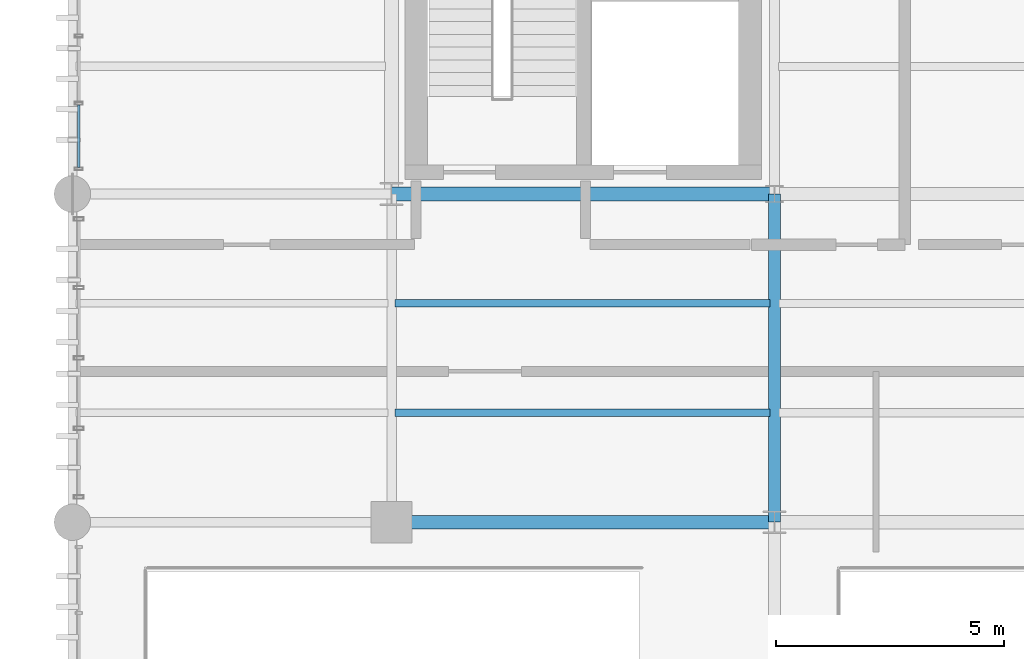
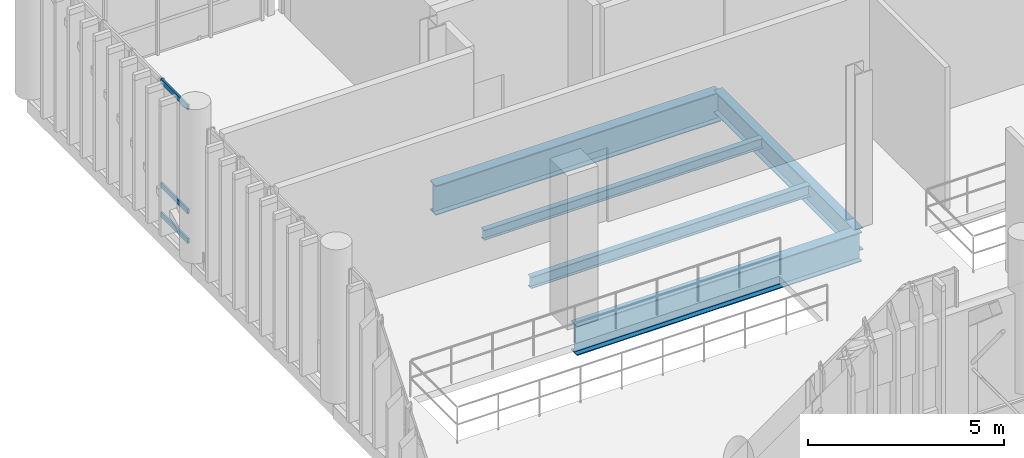
# One storey, part 28 of 109: 5 beams, 3 members, 1 element without a shape of its own.
"""IFC4 building model written with IfcOpenShell, lengths in metres."""

from ifc_helpers import new_model, si_unit, direction, frame, origin_with_axes, origin_2d_with_axis, place, context, subcontext, project, spatial, hollow_rectangle, i_section, extrude, material, material_profile, profile_set, type_object, element, aggregate, save


model = new_model("IFC4")

# Units and contexts
model_context = context("Model", 3, precision=1e-05, world=origin_with_axes(), true_north=direction((0.0, 1.0)))
body_context = subcontext(model_context, "Body", "Model", "MODEL_VIEW")
ifc_project = project(units=[si_unit("LENGTHUNIT", "METRE"), si_unit("AREAUNIT", "SQUARE_METRE"), si_unit("VOLUMEUNIT", "CUBIC_METRE"), si_unit("PLANEANGLEUNIT", "RADIAN"), si_unit("MASSUNIT", "GRAM", prefix="KILO"), si_unit("THERMODYNAMICTEMPERATUREUNIT", "KELVIN")], contexts=[model_context])

# Site, building, storey
site_placement = place(None, origin_with_axes())
site = spatial("IfcSite", under=ifc_project, at=site_placement, CompositionType="ELEMENT")
building_placement = place(site_placement, origin_with_axes())
building = spatial("IfcBuilding", under=site, at=building_placement, Name="Montbau Bow Law Courts", CompositionType="ELEMENT")
storey_placement = place(building_placement, frame((0.0, 0.0, 10.8), z_axis=(0.0, 0.0, 1.0), x_axis=(1.0, 0.0, 0.0)))
storey = spatial("IfcBuildingStorey", under=building, at=storey_placement, Name="L02", CompositionType="ELEMENT", Elevation=10.8)

# Beams
ifc_material_1 = material(Name="Steel CSA G40.21 Grade 350W (350 MPa)", Category="steel")
ifc_material_profile_1 = material_profile(ifc_material_1, i_section(OverallWidth=0.306, OverallDepth=0.919, WebThickness=0.0173, FlangeThickness=0.0279, at=origin_2d_with_axis()), Name="W920X253", Category="Main", Priority=0)
ifc_profile_set_1 = profile_set([ifc_material_profile_1], Name="Steel CSA G40.21 Grade 350W (350 MPa)")
beam_type_1 = type_object("IfcBeamType", Name="B-FLR-01", PredefinedType="BEAM", material=ifc_profile_set_1)
for number, where, z_axis, x_axis, name in (
    (1, (13.8, 39.0, 10.12), (1.0, 0.0, 0.0), (0.0, 1.0, 0.0), "BM-L02-S0552:bm2_0555"),
    (2, (13.8, 46.2, 10.12), (1.0, 0.0, 0.0), (0.0, 1.0, 0.0), "BM-L02-S0557:bm2_0560"),
):
    element("IfcBeam", number, at=place(None, frame(where, z_axis=z_axis, x_axis=x_axis)), inside=storey, type_object=beam_type_1, Name=name, PredefinedType="BEAM", context=body_context, shape_type="SweptSolid", body=[
        extrude(i_section(OverallWidth=0.306, OverallDepth=0.919, WebThickness=0.0173, FlangeThickness=0.0279, at=origin_2d_with_axis()), origin_with_axes(), (0.0, 0.0, 1.0), 8.4),
    ])
ifc_material_profile_2 = material_profile(ifc_material_1, i_section(OverallWidth=0.254, OverallDepth=0.688, WebThickness=0.0131, FlangeThickness=0.0211, at=origin_2d_with_axis()), Name="W690X152", Category="Main", Priority=0)
ifc_profile_set_2 = profile_set([ifc_material_profile_2], Name="Steel CSA G40.21 Grade 350W (350 MPa)")
beam_type_2 = type_object("IfcBeamType", Name="B-FLR-04", PredefinedType="BEAM", material=ifc_profile_set_2)
beam_1_placement = place(None, frame((22.2, 39.0, 10.236), z_axis=(0.0, 1.0, 0.0), x_axis=(-1.0, 0.0, 0.0)))
element("IfcBeam", 3, at=beam_1_placement, inside=storey, type_object=beam_type_2, Name="BM-L02-S0572:bm2_0575", PredefinedType="BEAM", context=body_context, shape_type="SweptSolid", body=[
    extrude(i_section(OverallWidth=0.254, OverallDepth=0.688, WebThickness=0.0131, FlangeThickness=0.0211, at=origin_2d_with_axis()), origin_with_axes(), (0.0, 0.0, 1.0), 7.2),
])
ifc_material_profile_3 = material_profile(ifc_material_1, i_section(OverallWidth=0.172, OverallDepth=0.358, WebThickness=0.0079, FlangeThickness=0.0131, at=origin_2d_with_axis()), Name="W360X57", Category="Main", Priority=0)
ifc_profile_set_3 = profile_set([ifc_material_profile_3], Name="Steel CSA G40.21 Grade 350W (350 MPa)")
beam_type_3 = type_object("IfcBeamType", Name="B-JST-03", PredefinedType="JOIST", material=ifc_profile_set_3)
beam_2_placement = place(None, frame((13.881, 41.4, 10.401), z_axis=(1.0, 0.0, 0.0), x_axis=(0.0, 1.0, 0.0)))
element("IfcBeam", 4, at=beam_2_placement, inside=storey, type_object=beam_type_3, Name="JST-L02-S0270:jst2_0270", PredefinedType="JOIST", context=body_context, shape_type="SweptSolid", body=[
    extrude(i_section(OverallWidth=0.172, OverallDepth=0.358, WebThickness=0.0079, FlangeThickness=0.0131, at=origin_2d_with_axis()), origin_with_axes(), (0.0, 0.0, 1.0), 8.216),
])
ifc_material_profile_4 = material_profile(ifc_material_1, i_section(OverallWidth=0.166, OverallDepth=0.313, WebThickness=0.0066, FlangeThickness=0.0112, at=origin_2d_with_axis()), Name="W310X45", Category="Main", Priority=0)
ifc_profile_set_4 = profile_set([ifc_material_profile_4], Name="Steel CSA G40.21 Grade 350W (350 MPa)")
beam_type_4 = type_object("IfcBeamType", Name="B-JST-04", PredefinedType="JOIST", material=ifc_profile_set_4)
beam_3_placement = place(None, frame((13.881, 43.8, 10.424), z_axis=(1.0, 0.0, 0.0), x_axis=(0.0, 1.0, 0.0)))
element("IfcBeam", 5, at=beam_3_placement, inside=storey, type_object=beam_type_4, Name="JST-L02-S0271:jst2_0271", PredefinedType="JOIST", context=body_context, shape_type="SweptSolid", body=[
    extrude(i_section(OverallWidth=0.166, OverallDepth=0.313, WebThickness=0.0066, FlangeThickness=0.0112, at=origin_2d_with_axis()), origin_with_axes(), (0.0, 0.0, 1.0), 8.216),
])

# Curtain wall, members
ifc_material_2 = material(Name="Thermally Broken Extruded Aluminium AA 6063-T6", Category="aluminium")
curtain_wall_type = type_object("IfcCurtainWallType", Name="CW-TRC-01", PredefinedType="NOTDEFINED", material=ifc_material_2)
curtain_wall_placement = place(None, frame((6.94, 46.715, 10.8), z_axis=(0.0, 0.0, 1.0), x_axis=(1.0, 0.0, 0.0)))
curtain_wall = element("IfcCurtainWall", 6, at=curtain_wall_placement, inside=storey, type_object=curtain_wall_type, Name="CW-L02-046:cw_0046", PredefinedType="NOTDEFINED")
ifc_material_profile_5 = material_profile(ifc_material_2, hollow_rectangle(XDim=0.06, YDim=0.16, WallThickness=0.004, InnerFilletRadius=0.008, OuterFilletRadius=0.004, at=origin_2d_with_axis()), Name="CWT-160X60", Category="Main", Priority=0)
ifc_profile_set_5 = profile_set([ifc_material_profile_5], Name="Thermally Broken Extruded Aluminium AA 6063-T6")
member_type = type_object("IfcMemberType", Name="M-TRN-01", PredefinedType="USERDEFINED", material=ifc_profile_set_5)
member_1_placement = place(None, frame((6.94, 46.783, 10.83), z_axis=(0.0, 1.0, 0.0), x_axis=(-1.0, 0.0, 0.0)))
member_1 = element("IfcMember", 7, at=member_1_placement, type_object=member_type, Name="CW-L02-046-T01-1:cw_0046_T01_1", ObjectType="TRANSOM", PredefinedType="USERDEFINED", context=body_context, shape_type="SweptSolid", body=[
    extrude(hollow_rectangle(XDim=0.06, YDim=0.16, WallThickness=0.004, InnerFilletRadius=0.008, OuterFilletRadius=0.004, at=origin_2d_with_axis()), origin_with_axes(), (0.0, 0.0, 1.0), 1.372),
])
member_2_placement = place(None, frame((6.94, 46.783, 11.75), z_axis=(0.0, 1.0, 0.0), x_axis=(-1.0, 0.0, 0.0)))
member_2 = element("IfcMember", 8, at=member_2_placement, type_object=member_type, Name="CW-L02-046-T01-2:cw_0046_T01_2", ObjectType="TRANSOM", PredefinedType="USERDEFINED", context=body_context, shape_type="SweptSolid", body=[
    extrude(hollow_rectangle(XDim=0.06, YDim=0.16, WallThickness=0.004, InnerFilletRadius=0.008, OuterFilletRadius=0.004, at=origin_2d_with_axis()), origin_with_axes(), (0.0, 0.0, 1.0), 1.372),
])
member_3_placement = place(None, frame((6.94, 46.783, 14.99), z_axis=(0.0, 1.0, 0.0), x_axis=(-1.0, 0.0, 0.0)))
member_3 = element("IfcMember", 9, at=member_3_placement, type_object=member_type, Name="CW-L02-046-T01-3:cw_0046_T01_3", ObjectType="TRANSOM", PredefinedType="USERDEFINED", context=body_context, shape_type="SweptSolid", body=[
    extrude(hollow_rectangle(XDim=0.06, YDim=0.16, WallThickness=0.004, InnerFilletRadius=0.008, OuterFilletRadius=0.004, at=origin_2d_with_axis()), origin_with_axes(), (0.0, 0.0, 1.0), 1.372),
])
aggregate(curtain_wall, [member_1, member_2, member_3])

save(model, "model.ifc")
